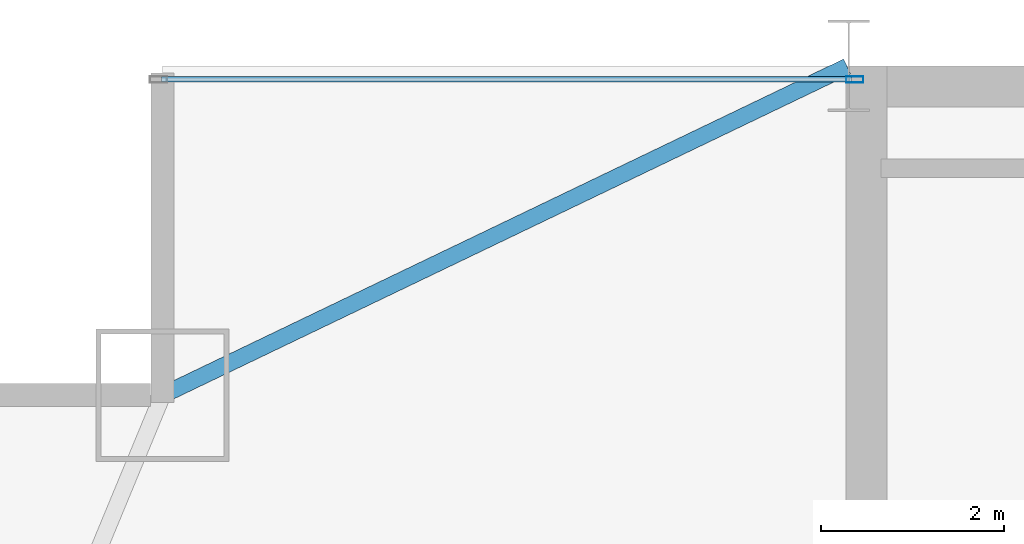
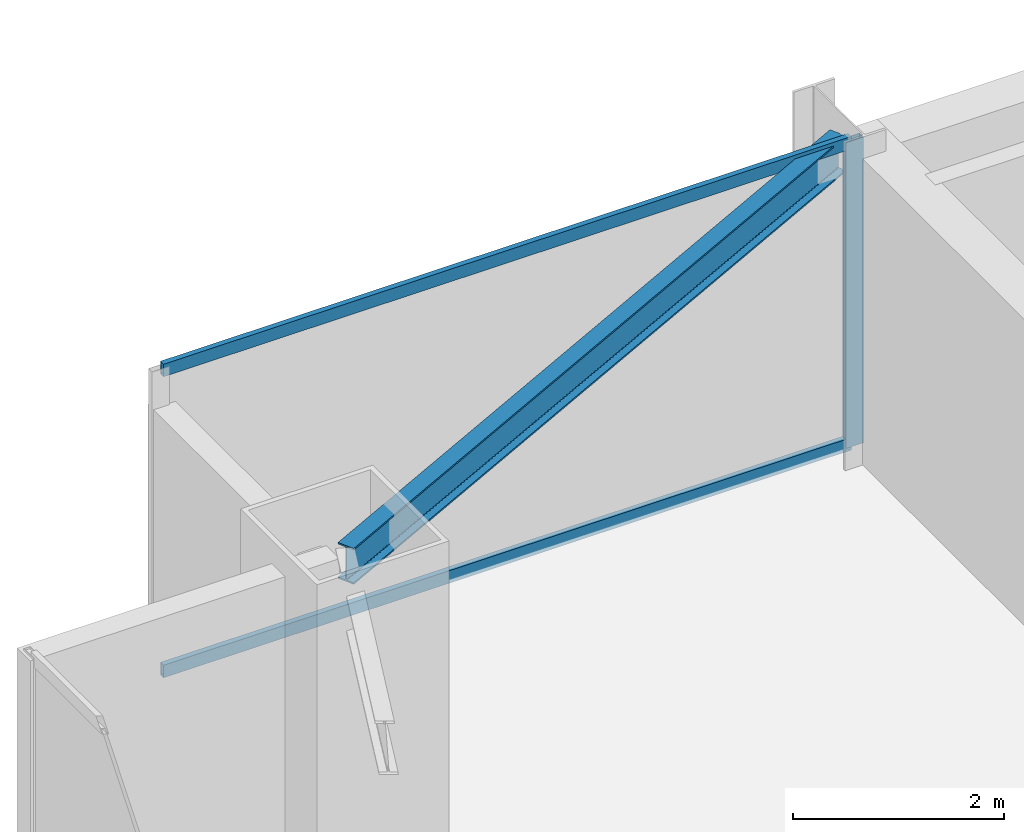
# One storey, part 22 of 32: 3 members, 1 beam, 1 element without a shape of its own.
"""IFC4 building model written with IfcOpenShell, lengths in metres."""

from ifc_helpers import new_model, si_unit, direction, frame, origin, origin_2d, place, context, subcontext, project, spatial, hollow_rectangle, i_section, extrude, source, transform, mapped, material, layer, layer_set, material_profile, profile_set, type_object, type_shapes, element, aggregate, save


model = new_model("IFC4")

# Units and contexts
model_context = context("Model", 3, precision=1e-05, world=origin(), true_north=direction((0.0, 1.0)))
body_context = subcontext(model_context, "Body", "Model", "MODEL_VIEW")
ifc_project = project(units=[si_unit("LENGTHUNIT", "METRE"), si_unit("AREAUNIT", "SQUARE_METRE"), si_unit("VOLUMEUNIT", "CUBIC_METRE"), si_unit("PLANEANGLEUNIT", "RADIAN"), si_unit("MASSUNIT", "GRAM", prefix="KILO")], contexts=[model_context])

# Site, building, storey
site_placement = place(None, origin())
site = spatial("IfcSite", under=ifc_project, at=site_placement, CompositionType="ELEMENT")
building_placement = place(site_placement, origin())
building = spatial("IfcBuilding", under=site, at=building_placement, Name="Varnel Quay Broadcast Tower", CompositionType="ELEMENT")
storey_placement = place(building_placement, frame((0.0, 0.0, 90.800048828125)))
storey = spatial("IfcBuildingStorey", under=building, at=storey_placement, Name="L21", CompositionType="ELEMENT", Elevation=90.800048828125)

# Beam
ifc_material_1 = material(Name="Structural Steel CSA G40.21 350W", Category="steel")
ifc_material_profile_1 = material_profile(ifc_material_1, i_section(OverallWidth=0.180908203125, OverallDepth=0.4169921875, WebThickness=0.010986328125, FlangeThickness=0.018310546875, FilletRadius=0.011962890625, at=origin_2d()), Name="W410X85")
ifc_profile_set_1 = profile_set([ifc_material_profile_1], Name="Structural Steel CSA G40.21 350W")
beam_type = type_object("IfcBeamType", Name="Beam_W410X85", PredefinedType="SPANDREL", material=ifc_profile_set_1)
shared_shape_1 = source(origin(), body_context, "Body", "SweptSolid", [
    extrude(i_section(OverallWidth=0.180908203125, OverallDepth=0.4169921875, WebThickness=0.010986328125, FlangeThickness=0.018310546875, FilletRadius=0.011962890625, at=origin_2d()), origin(), (0.0, 0.0, 1.0), 8.279296875),
])
type_shapes(beam_type, [shared_shape_1])
beam_placement = place(storey_placement, frame((8.117919921875, 43.208740234375, 3.341552734375), z_axis=(0.901535021024, 0.432706142626, 0.0), x_axis=(-0.432706142626, 0.901535021024, 0.0)))
element("IfcBeam", 1, at=beam_placement, inside=storey, type_object=beam_type, Name="L21 NW Tie Spandrel", PredefinedType="SPANDREL", context=body_context, shape_type="MappedRepresentation", body=[
    mapped(shared_shape_1, transform((0.0, 0.0, 0.0), x_axis=(1.0, 0.0, 0.0), y_axis=(0.0, 1.0, 0.0), z_axis=(0.0, 0.0, 1.0), scale=1.0)),
])

# Curtain wall, members
ifc_material_2 = material(Name="Anodised Bronze Aluminium 6063-T6", Category="aluminium")
ifc_layer = layer(ifc_material_2, 0.18994140625, Name="Anodised Bronze Aluminium 6063-T6")
ifc_layer_set = layer_set([ifc_layer], Name="Anodised Bronze Aluminium 6063-T6")
curtain_wall_type = type_object("IfcCurtainWallType", Name="CW_LowerTower", PredefinedType="NOTDEFINED", material=ifc_layer_set)
curtain_wall_placement = place(storey_placement, origin())
curtain_wall = element("IfcCurtainWall", 2, at=curtain_wall_placement, inside=storey, type_object=curtain_wall_type, Name="L21 NW Wing Curtain Wall", PredefinedType="NOTDEFINED")
ifc_material_profile_2 = material_profile(ifc_material_2, hollow_rectangle(XDim=0.070068359375, YDim=0.18994140625, WallThickness=0.00390625, at=origin_2d()), Name="ALU70X190X4")
ifc_profile_set_2 = profile_set([ifc_material_profile_2], Name="Anodised Bronze Aluminium 6063-T6")
member_type_1 = type_object("IfcMemberType", Name="Mull_CWS-02", PredefinedType="MULLION", material=ifc_profile_set_2)
shared_shape_2 = source(origin(), body_context, "Body", "SweptSolid", [
    extrude(hollow_rectangle(XDim=0.070068359375, YDim=0.18994140625, WallThickness=0.00390625, at=origin_2d()), origin(), (0.0, 0.0, 1.0), 3.550048828125),
])
type_shapes(member_type_1, [shared_shape_2])
member_1_placement = place(storey_placement, frame((15.6650390625, 46.64990234375, 0.0), z_axis=(0.0, 0.0, 1.0), x_axis=(0.0, 1.0, 0.0)))
member_1 = element("IfcMember", 3, at=member_1_placement, type_object=member_type_1, Name="CWS-02 mullion 2", PredefinedType="MULLION", context=body_context, shape_type="MappedRepresentation", body=[
    mapped(shared_shape_2, transform((0.0, 0.0, 0.0), x_axis=(1.0, 0.0, 0.0), y_axis=(0.0, 1.0, 0.0), z_axis=(0.0, 0.0, 1.0), scale=1.0)),
])
ifc_material_profile_3 = material_profile(ifc_material_2, hollow_rectangle(XDim=0.06005859375, YDim=0.14501953125, WallThickness=0.00341796875, at=origin_2d()), Name="ALU60X145X3.5")
ifc_profile_set_3 = profile_set([ifc_material_profile_3], Name="Anodised Bronze Aluminium 6063-T6")
member_type_2 = type_object("IfcMemberType", Name="Tran_CWS-02", PredefinedType="USERDEFINED", material=ifc_profile_set_3)
shared_shape_3 = source(origin(), body_context, "Body", "SweptSolid", [
    extrude(hollow_rectangle(XDim=0.06005859375, YDim=0.14501953125, WallThickness=0.00341796875, at=origin_2d()), origin(), (0.0, 0.0, 1.0), 7.539794921875),
])
type_shapes(member_type_2, [shared_shape_3])
member_2_placement = place(storey_placement, frame((8.090087890625, 46.64990234375, 0.030029296875), z_axis=(1.0, 0.0, 0.0), x_axis=(0.0, 1.0, 0.0)))
member_2 = element("IfcMember", 4, at=member_2_placement, type_object=member_type_2, Name="CWS-02 transom 1.1", ObjectType="TRANSOM", PredefinedType="USERDEFINED", context=body_context, shape_type="MappedRepresentation", body=[
    mapped(shared_shape_3, transform((0.0, 0.0, 0.0), x_axis=(1.0, 0.0, 0.0), y_axis=(0.0, 1.0, 0.0), z_axis=(0.0, 0.0, 1.0), scale=1.0)),
])
member_3_placement = place(storey_placement, frame((8.090087890625, 46.64990234375, 3.52001953125), z_axis=(1.0, 0.0, 0.0), x_axis=(0.0, 1.0, 0.0)))
member_3 = element("IfcMember", 5, at=member_3_placement, type_object=member_type_2, Name="CWS-02 transom 1.2", ObjectType="TRANSOM", PredefinedType="USERDEFINED", context=body_context, shape_type="MappedRepresentation", body=[
    mapped(shared_shape_3, transform((0.0, 0.0, 0.0), x_axis=(1.0, 0.0, 0.0), y_axis=(0.0, 1.0, 0.0), z_axis=(0.0, 0.0, 1.0), scale=1.0)),
])
aggregate(curtain_wall, [member_1, member_2, member_3])

save(model, "model.ifc")
